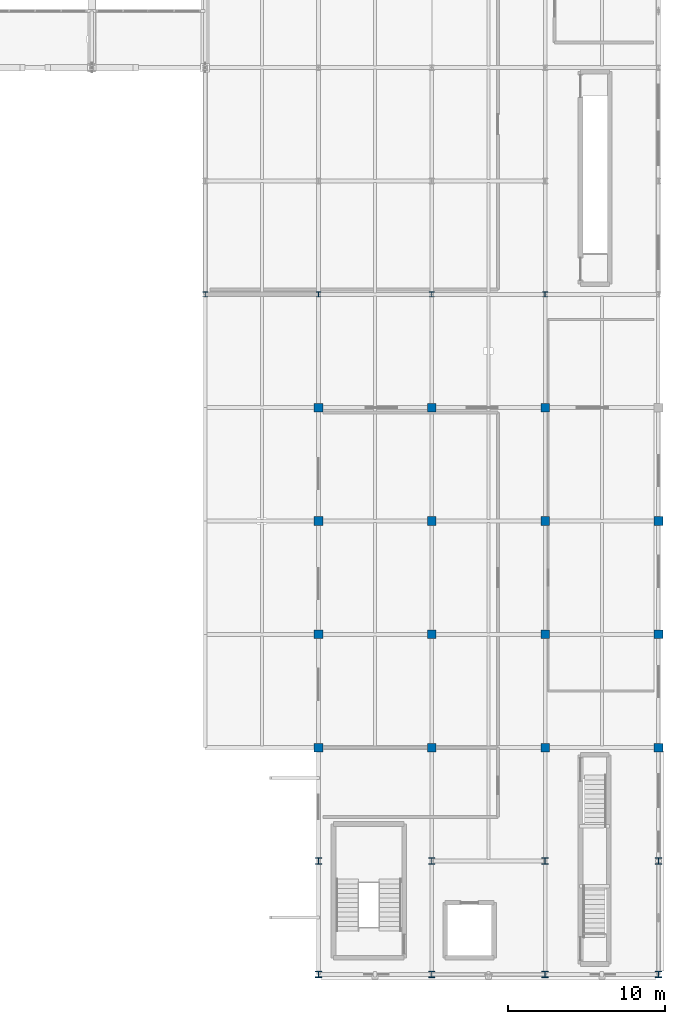
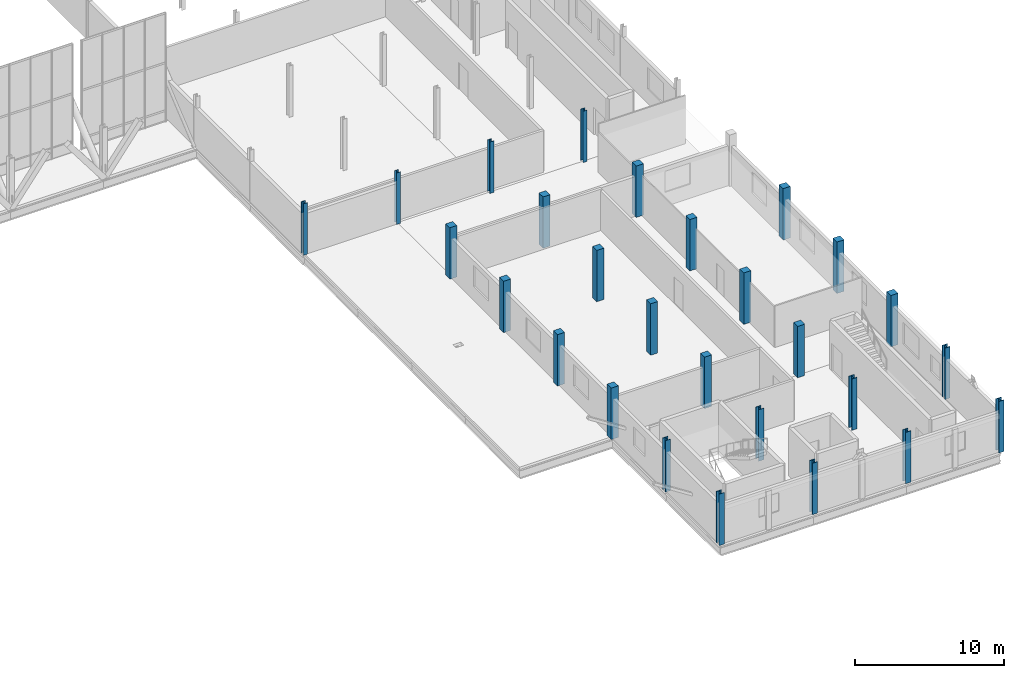
# One storey, part 5 of 102: 27 columns.
"""IFC4 building model written with IfcOpenShell, lengths in metres."""

from ifc_helpers import new_model, si_unit, direction, frame, origin, origin_2d, place, context, subcontext, project, spatial, rectangle, i_section, extrude, material, material_profile, profile_set, type_object, element, save


model = new_model("IFC4")

# Units and contexts
model_context = context("Model", 3, precision=1e-05, world=origin(), true_north=direction((0.0, 1.0)))
body_context = subcontext(model_context, "Body", "Model", "MODEL_VIEW")
ifc_project = project(units=[si_unit("LENGTHUNIT", "METRE"), si_unit("AREAUNIT", "SQUARE_METRE"), si_unit("VOLUMEUNIT", "CUBIC_METRE"), si_unit("PLANEANGLEUNIT", "RADIAN"), si_unit("MASSUNIT", "GRAM", prefix="KILO")], contexts=[model_context])

# Site, building, storey
site_placement = place(None, origin())
site = spatial("IfcSite", under=ifc_project, at=site_placement, CompositionType="ELEMENT")
building_placement = place(site_placement, origin())
building = spatial("IfcBuilding", under=site, at=building_placement, Name="Yarey Park Central Fire Station", CompositionType="ELEMENT")
storey_placement = place(building_placement, frame((0.0, 0.0, 6.0)))
storey = spatial("IfcBuildingStorey", under=building, at=storey_placement, Name="L02", CompositionType="ELEMENT", Elevation=6.0)

# Columns
ifc_material_1 = material(Name="Concrete C40/50", Category="concrete")
ifc_material_profile_1 = material_profile(ifc_material_1, rectangle(XDim=0.550048828125, YDim=0.550048828125, at=origin_2d()), Name="RC 550x550")
ifc_profile_set_1 = profile_set([ifc_material_profile_1], Name="Concrete C40/50")
column_type_1 = type_object("IfcColumnType", Name="STR_COL_RC550_EXT", PredefinedType="COLUMN", material=ifc_profile_set_1)
for number, where, z_axis, x_axis, name in (
    (1, (144.0, 14.39990234375, 0.0), (0.0, 0.0, 1.0), (1.0, 0.0, 0.0), "COL_L02_X1440_Y144"),
    (2, (144.0, 21.60009765625, 0.0), (0.0, 0.0, 1.0), (1.0, 0.0, 0.0), "COL_L02_X1440_Y216"),
    (3, (144.0, 28.800048828125, 0.0), (0.0, 0.0, 1.0), (1.0, 0.0, 0.0), "COL_L02_X1440_Y288"),
    (4, (144.0, 36.0, 0.0), (0.0, 0.0, 1.0), (1.0, 0.0, 0.0), "COL_L02_X1440_Y360"),
    (5, (151.199951171875, 14.39990234375, 0.0), (0.0, 0.0, 1.0), (1.0, 0.0, 0.0), "COL_L02_X1512_Y144"),
    (6, (151.199951171875, 36.0, 0.0), (0.0, 0.0, 1.0), (1.0, 0.0, 0.0), "COL_L02_X1512_Y360"),
    (7, (158.39990234375, 14.39990234375, 0.0), (0.0, 0.0, 1.0), (1.0, 0.0, 0.0), "COL_L02_X1584_Y144"),
    (8, (158.39990234375, 36.0, 0.0), (0.0, 0.0, 1.0), (1.0, 0.0, 0.0), "COL_L02_X1584_Y360"),
    (9, (165.60009765625, 14.39990234375, 0.0), (0.0, 0.0, 1.0), (1.0, 0.0, 0.0), "COL_L02_X1656_Y144"),
    (10, (165.60009765625, 21.60009765625, 0.0), (0.0, 0.0, 1.0), (1.0, 0.0, 0.0), "COL_L02_X1656_Y216"),
    (11, (165.60009765625, 28.800048828125, 0.0), (0.0, 0.0, 1.0), (1.0, 0.0, 0.0), "COL_L02_X1656_Y288"),
):
    element("IfcColumn", number, at=place(storey_placement, frame(where, z_axis=z_axis, x_axis=x_axis)), inside=storey, type_object=column_type_1, Name=name, PredefinedType="COLUMN", context=body_context, shape_type="SweptSolid", body=[
        extrude(rectangle(XDim=0.550048828125, YDim=0.550048828125, at=origin_2d()), origin(), (0.0, 0.0, 1.0), 4.199951171875),
    ])
ifc_material_profile_2 = material_profile(ifc_material_1, rectangle(XDim=0.550048828125, YDim=0.550048828125, at=origin_2d()), Name="RC 550x550")
ifc_profile_set_2 = profile_set([ifc_material_profile_2], Name="Concrete C40/50")
column_type_2 = type_object("IfcColumnType", Name="STR_COL_RC550_INT", PredefinedType="COLUMN", material=ifc_profile_set_2)
for number, where, z_axis, x_axis, name in (
    (12, (151.199951171875, 21.60009765625, 0.0), (0.0, 0.0, 1.0), (1.0, 0.0, 0.0), "COL_L02_X1512_Y216"),
    (13, (151.199951171875, 28.800048828125, 0.0), (0.0, 0.0, 1.0), (1.0, 0.0, 0.0), "COL_L02_X1512_Y288"),
    (14, (158.39990234375, 21.60009765625, 0.0), (0.0, 0.0, 1.0), (1.0, 0.0, 0.0), "COL_L02_X1584_Y216"),
    (15, (158.39990234375, 28.800048828125, 0.0), (0.0, 0.0, 1.0), (1.0, 0.0, 0.0), "COL_L02_X1584_Y288"),
):
    element("IfcColumn", number, at=place(storey_placement, frame(where, z_axis=z_axis, x_axis=x_axis)), inside=storey, type_object=column_type_2, Name=name, PredefinedType="COLUMN", context=body_context, shape_type="SweptSolid", body=[
        extrude(rectangle(XDim=0.550048828125, YDim=0.550048828125, at=origin_2d()), origin(), (0.0, 0.0, 1.0), 4.199951171875),
    ])
ifc_material_2 = material(Name="Steel ASTM A992 Gr. 50", Category="steel")
ifc_material_profile_3 = material_profile(ifc_material_2, i_section(OverallWidth=0.30908203125, OverallDepth=0.322998046875, WebThickness=0.013916015625, FlangeThickness=0.02294921875, at=origin_2d()), Name="W310x143")
ifc_profile_set_3 = profile_set([ifc_material_profile_3], Name="Steel ASTM A992 Gr. 50")
column_type_3 = type_object("IfcColumnType", Name="STR_COL_W310_EXT", PredefinedType="COLUMN", material=ifc_profile_set_3)
for number, where, z_axis, x_axis, name in (
    (16, (136.800048828125, 43.199951171875, 0.0), (0.0, 0.0, 1.0), (1.0, 0.0, 0.0), "COL_L02_X1368_Y432"),
    (17, (144.0, 43.199951171875, 0.0), (0.0, 0.0, 1.0), (1.0, 0.0, 0.0), "COL_L02_X1440_Y432"),
    (18, (151.199951171875, 43.199951171875, 0.0), (0.0, 0.0, 1.0), (1.0, 0.0, 0.0), "COL_L02_X1512_Y432"),
    (19, (158.39990234375, 43.199951171875, 0.0), (0.0, 0.0, 1.0), (1.0, 0.0, 0.0), "COL_L02_X1584_Y432"),
):
    element("IfcColumn", number, at=place(storey_placement, frame(where, z_axis=z_axis, x_axis=x_axis)), inside=storey, type_object=column_type_3, Name=name, PredefinedType="COLUMN", context=body_context, shape_type="SweptSolid", body=[
        extrude(i_section(OverallWidth=0.30908203125, OverallDepth=0.322998046875, WebThickness=0.013916015625, FlangeThickness=0.02294921875, at=origin_2d()), origin(), (0.0, 0.0, 1.0), 4.199951171875),
    ])
ifc_material_profile_4 = material_profile(ifc_material_2, i_section(OverallWidth=0.404052734375, OverallDepth=0.406982421875, WebThickness=0.027099609375, FlangeThickness=0.043701171875, at=origin_2d()), Name="W360x347")
ifc_profile_set_4 = profile_set([ifc_material_profile_4], Name="Steel ASTM A992 Gr. 50")
column_type_4 = type_object("IfcColumnType", Name="STR_COL_W360_EXT", PredefinedType="COLUMN", material=ifc_profile_set_4)
for number, where, z_axis, x_axis, name in (
    (20, (144.0, 0.0, 0.0), (0.0, 0.0, 1.0), (1.0, 0.0, 0.0), "COL_L02_X1440_Y0"),
    (21, (144.0, 7.199951171875, 0.0), (0.0, 0.0, 1.0), (1.0, 0.0, 0.0), "COL_L02_X1440_Y72"),
    (22, (151.199951171875, 0.0, 0.0), (0.0, 0.0, 1.0), (1.0, 0.0, 0.0), "COL_L02_X1512_Y0"),
    (23, (158.39990234375, 0.0, 0.0), (0.0, 0.0, 1.0), (1.0, 0.0, 0.0), "COL_L02_X1584_Y0"),
    (24, (165.60009765625, 0.0, 0.0), (0.0, 0.0, 1.0), (1.0, 0.0, 0.0), "COL_L02_X1656_Y0"),
    (25, (165.60009765625, 7.199951171875, 0.0), (0.0, 0.0, 1.0), (1.0, 0.0, 0.0), "COL_L02_X1656_Y72"),
):
    element("IfcColumn", number, at=place(storey_placement, frame(where, z_axis=z_axis, x_axis=x_axis)), inside=storey, type_object=column_type_4, Name=name, PredefinedType="COLUMN", context=body_context, shape_type="SweptSolid", body=[
        extrude(i_section(OverallWidth=0.404052734375, OverallDepth=0.406982421875, WebThickness=0.027099609375, FlangeThickness=0.043701171875, at=origin_2d()), origin(), (0.0, 0.0, 1.0), 4.199951171875),
    ])
ifc_material_profile_5 = material_profile(ifc_material_2, i_section(OverallWidth=0.404052734375, OverallDepth=0.406982421875, WebThickness=0.027099609375, FlangeThickness=0.043701171875, at=origin_2d()), Name="W360x347")
ifc_profile_set_5 = profile_set([ifc_material_profile_5], Name="Steel ASTM A992 Gr. 50")
column_type_5 = type_object("IfcColumnType", Name="STR_COL_W360_INT", PredefinedType="COLUMN", material=ifc_profile_set_5)
for number, where, z_axis, x_axis, name in (
    (26, (151.199951171875, 7.199951171875, 0.0), (0.0, 0.0, 1.0), (1.0, 0.0, 0.0), "COL_L02_X1512_Y72"),
    (27, (158.39990234375, 7.199951171875, 0.0), (0.0, 0.0, 1.0), (1.0, 0.0, 0.0), "COL_L02_X1584_Y72"),
):
    element("IfcColumn", number, at=place(storey_placement, frame(where, z_axis=z_axis, x_axis=x_axis)), inside=storey, type_object=column_type_5, Name=name, PredefinedType="COLUMN", context=body_context, shape_type="SweptSolid", body=[
        extrude(i_section(OverallWidth=0.404052734375, OverallDepth=0.406982421875, WebThickness=0.027099609375, FlangeThickness=0.043701171875, at=origin_2d()), origin(), (0.0, 0.0, 1.0), 4.199951171875),
    ])

save(model, "model.ifc")
